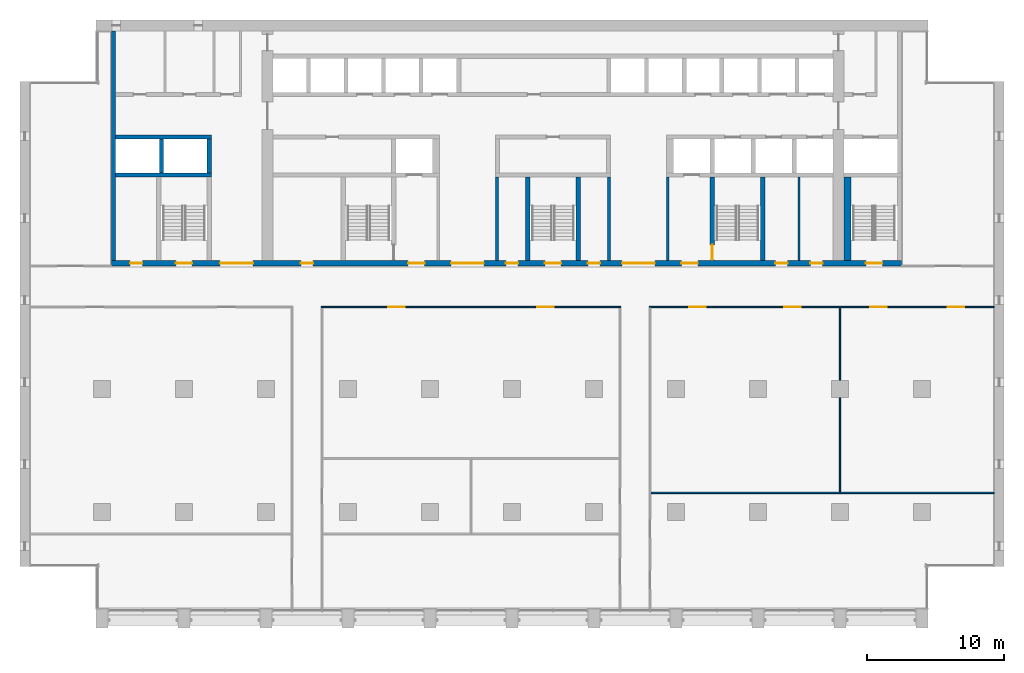
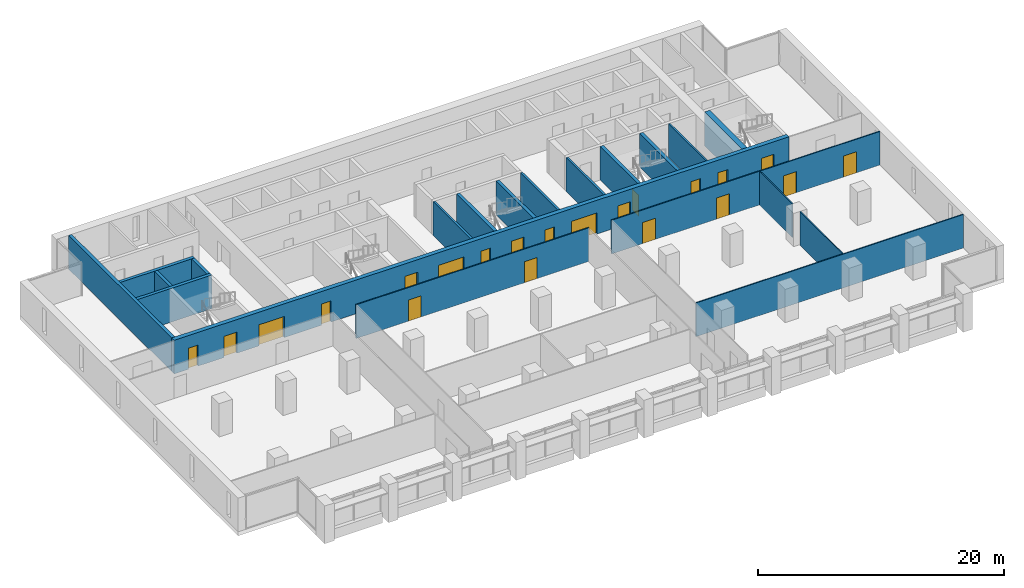
# One storey, part 9 of 15: 21 doors, 20 walls, 21 openings.
"""IFC4 building model written with IfcOpenShell, lengths in metres."""

import ifcopenshell
import ifcopenshell.guid

model = None  # the IFC model being written
_history = None  # IfcOwnerHistory: only IFC2X3 demands one
_inside = {}  # id of a spatial element -> (the spatial element, [elements in it])
_under = {}  # id of a project, library or spatial element -> (it, [spatial elements below it])
_declared = {}  # id of a project -> (the project, [libraries it declares])
_typed = {}  # id of a type object -> (the type object, [elements of that type])
_made_of = {}  # id of a material, layer set ... -> (it, [elements and type objects made of it])


def new_model(schema):
    """Start an empty IFC model of exactly this schema.

    Asked for "IFC4X3", IfcOpenShell would pick the latest addendum, in which some entities
    have other attributes; the version numbers below select the first issue.
    IFC2X3 requires an IfcOwnerHistory on every rooted entity: one is made here for all.
    """
    global model, _history
    if schema == "IFC4X3":
        model = ifcopenshell.file(schema_version=(4, 3, 0, 0))
    else:
        model = ifcopenshell.file(schema=schema)
    _inside.clear()
    _under.clear()
    _declared.clear()
    _typed.clear()
    _made_of.clear()
    _history = None
    if model.schema == "IFC2X3":
        org = make("IfcOrganization", Name="unknown")
        user = make(
            "IfcPersonAndOrganization",
            ThePerson=make("IfcPerson", FamilyName="unknown"),
            TheOrganization=org,
        )
        app = make(
            "IfcApplication",
            ApplicationDeveloper=org,
            Version="unknown",
            ApplicationFullName="unknown",
            ApplicationIdentifier="unknown",
        )
        _history = make(
            "IfcOwnerHistory",
            OwningUser=user,
            OwningApplication=app,
            ChangeAction="ADDED",
            CreationDate=0,
        )
    return model


def make(cls, **values):
    """One entity of the class cls with the attributes given. An attribute that is None is left unset."""
    return model.create_entity(
        cls, **{name: value for name, value in values.items() if value is not None}
    )


def rooted(cls, **values):
    """An entity with a GlobalId (a new one), such as an element, a storey or a relation."""
    return make(cls, GlobalId=ifcopenshell.guid.new(), OwnerHistory=_history, **values)


def si_unit(unit_type, name, prefix=None):
    """IfcSIUnit, for example si_unit("LENGTHUNIT", "METRE", prefix="MILLI")."""
    return make("IfcSIUnit", UnitType=unit_type, Prefix=prefix, Name=name)


def assignment(units):
    """IfcUnitAssignment: the units of a project."""
    return None if units is None else make("IfcUnitAssignment", Units=units)


def point(xyz):
    """IfcCartesianPoint."""
    return None if xyz is None else make("IfcCartesianPoint", Coordinates=xyz)


def direction(xyz):
    """IfcDirection."""
    return None if xyz is None else make("IfcDirection", DirectionRatios=xyz)


def frame(location, z_axis=None, x_axis=None):
    """IfcAxis2Placement3D, a coordinate frame: its origin and axes. An axis left out is left unset."""
    return make(
        "IfcAxis2Placement3D",
        Location=point(location),
        Axis=direction(z_axis),
        RefDirection=direction(x_axis),
    )


def frame_2d(location, x_axis=None):
    """IfcAxis2Placement2D, a coordinate frame in the plane: its origin and x axis."""
    return make(
        "IfcAxis2Placement2D", Location=point(location), RefDirection=direction(x_axis)
    )


def origin():
    """The frame at (0, 0, 0) with its axes left unset."""
    return frame((0.0, 0.0, 0.0))


def place(relative_to, where):
    """IfcLocalPlacement: puts the frame where relative to a parent placement (None: the world)."""
    return make(
        "IfcLocalPlacement", PlacementRelTo=relative_to, RelativePlacement=where
    )


def context(
    kind, dimensions, precision=None, world=None, true_north=None, identifier=None
):
    """IfcGeometricRepresentationContext, for example the 3D "Model" context."""
    return make(
        "IfcGeometricRepresentationContext",
        ContextIdentifier=identifier,
        ContextType=kind,
        CoordinateSpaceDimension=dimensions,
        Precision=precision,
        WorldCoordinateSystem=world,
        TrueNorth=true_north,
    )


def subcontext(parent, identifier, kind, view, scale=None):
    """IfcGeometricRepresentationSubContext, for example "Body" below "Model"."""
    return make(
        "IfcGeometricRepresentationSubContext",
        ContextIdentifier=identifier,
        ContextType=kind,
        ParentContext=parent,
        TargetScale=scale,
        TargetView=view,
    )


def project(units=None, contexts=None):
    """IfcProject with its units and contexts."""
    return rooted(
        "IfcProject",
        Name="project",
        RepresentationContexts=contexts,
        UnitsInContext=assignment(units),
    )


def spatial(cls, under=None, at=None, **own):
    """A site, building, storey or space (cls), placed at a placement, below another one or the project."""
    s = rooted(cls, ObjectPlacement=at, **own)
    if under is not None:
        _under.setdefault(under.id(), (under, []))[1].append(s)
    return s


def profile(cls, at=None, kind="AREA", **sizes):
    """A parametric profile (cls). Its sizes go by their IFC names, for example OverallWidth=200.0."""
    return make(cls, ProfileType=kind, Position=at, **sizes)


def rectangle(**sizes):
    """IfcRectangleProfileDef."""
    return profile("IfcRectangleProfileDef", **sizes)


def extrude(swept, where, along, depth):
    """IfcExtrudedAreaSolid: the profile swept, set in the frame where, extruded along a direction by depth."""
    return make(
        "IfcExtrudedAreaSolid",
        SweptArea=swept,
        Position=where,
        ExtrudedDirection=direction(along),
        Depth=depth,
    )


def shape(context_of_items, identifier, shape_type, items):
    """IfcShapeRepresentation: the items that make up one representation, for example the "Body"."""
    return make(
        "IfcShapeRepresentation",
        ContextOfItems=context_of_items,
        RepresentationIdentifier=identifier,
        RepresentationType=shape_type,
        Items=items,
    )


def material(Name=None, Category=None):
    """IfcMaterial."""
    return make("IfcMaterial", Name=Name, Category=Category)


def layer(
    of_material, thickness, ventilated=None, Name=None, Category=None, Priority=None
):
    """IfcMaterialLayer: one layer of a wall or slab, of a material (None: an air gap)."""
    return make(
        "IfcMaterialLayer",
        Material=of_material,
        LayerThickness=thickness,
        IsVentilated=ventilated,
        Name=Name,
        Category=Category,
        Priority=Priority,
    )


def layer_set(layers, Name=None):
    """IfcMaterialLayerSet."""
    return make("IfcMaterialLayerSet", MaterialLayers=layers, LayerSetName=Name)


def made_of(thing, what):
    """Note that an element or type object is made of a material, layer set ...; save() writes the relation."""
    if what is not None:
        _made_of.setdefault(what.id(), (what, []))[1].append(thing)
    return thing


def type_object(cls, material=None, **own):
    """A type object (cls), such as IfcWallType, which elements share."""
    return made_of(rooted(cls, **own), material)


def element(
    cls,
    number,
    at=None,
    inside=None,
    cuts=None,
    type_object=None,
    material=None,
    context=None,
    identifier="Body",
    shape_type=None,
    held_by="IfcProductDefinitionShape",
    body=None,
    shapes=None,
    **own,
):
    """One element of the class cls, such as IfcWall. Its Tag is "e" and its number.

    at: its placement. inside: the storey or other place that contains it. cuts: it is an
    opening in that element (IfcRelVoidsElement). A single representation is given by context,
    identifier, shape_type and body (its items); several are given by shapes. held_by: the class
    of the entity that holds the representations. save() writes the other relations.
    """
    e = rooted(cls, Tag="e%d" % number, ObjectPlacement=at, **own)
    if body is not None:
        shapes = [shape(context, identifier, shape_type, body)]
    if shapes is not None:
        e.Representation = make(held_by, Representations=shapes)
    if inside is not None:
        _inside.setdefault(inside.id(), (inside, []))[1].append(e)
    if cuts is not None:
        rooted(
            "IfcRelVoidsElement", RelatingBuildingElement=cuts, RelatedOpeningElement=e
        )
    if type_object is not None:
        _typed.setdefault(type_object.id(), (type_object, []))[1].append(e)
    return made_of(e, material)


def fill(opening, filler):
    """IfcRelFillsElement: the door or window that sits in an opening."""
    return rooted(
        "IfcRelFillsElement",
        RelatingOpeningElement=opening,
        RelatedBuildingElement=filler,
    )


def aggregate(whole, parts):
    """IfcRelAggregates: a whole, such as a stair, and the parts it consists of."""
    return rooted("IfcRelAggregates", RelatingObject=whole, RelatedObjects=parts)


def save(model, path):
    """Write the relations noted so far, then the file.

    IfcRelAggregates (storeys below a building ...), IfcRelContainedInSpatialStructure (elements
    in a storey), IfcRelDefinesByType, IfcRelAssociatesMaterial and IfcRelDeclares: one each for
    every whole, place, type object, material and project.
    """
    for whole, parts in _under.values():
        aggregate(whole, parts)
    for where, things in _inside.values():
        rooted(
            "IfcRelContainedInSpatialStructure",
            RelatedElements=things,
            RelatingStructure=where,
        )
    for kind, things in _typed.values():
        rooted("IfcRelDefinesByType", RelatedObjects=things, RelatingType=kind)
    for what, things in _made_of.values():
        rooted("IfcRelAssociatesMaterial", RelatedObjects=things, RelatingMaterial=what)
    for by, libraries in _declared.values():
        rooted("IfcRelDeclares", RelatingContext=by, RelatedDefinitions=libraries)
    model.write(path)


model = new_model("IFC4")

# Units and contexts
model_context = context("Model", 3, precision=1e-05, world=origin(), true_north=direction((0.0, 1.0)))
body_context = subcontext(model_context, "Body", "Model", "MODEL_VIEW")
ifc_project = project(units=[si_unit("LENGTHUNIT", "METRE"), si_unit("AREAUNIT", "SQUARE_METRE"), si_unit("VOLUMEUNIT", "CUBIC_METRE"), si_unit("PLANEANGLEUNIT", "RADIAN"), si_unit("MASSUNIT", "GRAM", prefix="KILO")], contexts=[model_context])

# Site, building, storey
site_placement = place(None, origin())
site = spatial("IfcSite", under=ifc_project, at=site_placement, CompositionType="ELEMENT")
building_placement = place(site_placement, origin())
building = spatial("IfcBuilding", under=site, at=building_placement, Name="Calvaro Tower", CompositionType="ELEMENT")
storey_placement = place(building_placement, frame((0.0, 0.0, 143.75)))
storey = spatial("IfcBuildingStorey", under=building, at=storey_placement, Name="L36", CompositionType="ELEMENT", Elevation=143.75)

# Walls
ifc_material_1 = material(Name="Blockwork partition", Category="masonry")
ifc_layer_1 = layer(ifc_material_1, 0.14990234375)
ifc_layer_set_1 = layer_set([ifc_layer_1], Name="Blockwork partition")
wall_type_1 = type_object("IfcWallType", Name="Core partition 150 EI 60", PredefinedType="PARTITIONING", material=ifc_layer_set_1)
wall_1_placement = place(storey_placement, frame((57.0, 28.39990234375, 0.0), z_axis=(0.0, 0.0, 1.0), x_axis=(0.0, 1.0, 0.0)))
element("IfcWall", 1, at=wall_1_placement, inside=storey, type_object=wall_type_1, Name="Core partition", PredefinedType="PARTITIONING", context=body_context, shape_type="SweptSolid", body=[
    extrude(rectangle(XDim=6.10009765625, YDim=0.14990234375, at=frame_2d((3.050048828125, 0.0))), origin(), (0.0, 0.0, 1.0), 3.35009765625),
])
ifc_material_2 = material(Name="Blockwork partition", Category="masonry")
ifc_layer_2 = layer(ifc_material_2, 0.199951171875)
ifc_layer_set_2 = layer_set([ifc_layer_2], Name="Blockwork partition")
wall_type_2 = type_object("IfcWallType", Name="Core partition 200 REI 120", PredefinedType="PARTITIONING", material=ifc_layer_set_2)
for number, where, z_axis, x_axis, name in (
    (2, (34.89990234375, 28.39990234375, 0.0), (0.0, 0.0, 1.0), (0.0, 1.0, 0.0), "Core partition"),
    (3, (43.10009765625, 28.39990234375, 0.0), (0.0, 0.0, 1.0), (0.0, 1.0, 0.0), "Core partition"),
    (4, (47.39990234375, 28.39990234375, 0.0), (0.0, 0.0, 1.0), (0.0, 1.0, 0.0), "Core partition"),
):
    element("IfcWall", number, at=place(storey_placement, frame(where, z_axis=z_axis, x_axis=x_axis)), inside=storey, type_object=wall_type_2, Name=name, PredefinedType="PARTITIONING", context=body_context, shape_type="SweptSolid", body=[
        extrude(rectangle(XDim=6.10009765625, YDim=0.199951171875, at=frame_2d((3.050048828125, 0.0))), origin(), (0.0, 0.0, 1.0), 3.35009765625),
    ])
ifc_material_3 = material(Name="Concrete C60/75", Category="concrete")
ifc_layer_3 = layer(ifc_material_3, 0.300048828125)
ifc_layer_set_3 = layer_set([ifc_layer_3], Name="Concrete C60/75")
wall_type_3 = type_object("IfcWallType", Name="Core wall C60/75 300", PredefinedType="SHEAR", material=ifc_layer_set_3)
wall_2_placement = place(storey_placement, frame((6.85009765625, 28.39990234375, 0.0), z_axis=(0.0, 0.0, 1.0), x_axis=(0.0, 1.0, 0.0)))
element("IfcWall", 5, at=wall_2_placement, inside=storey, type_object=wall_type_3, Name="Core wall, boundary", PredefinedType="SHEAR", context=body_context, shape_type="SweptSolid", body=[
    extrude(rectangle(XDim=16.800048828125, YDim=0.300048828125, at=frame_2d((8.39990234375, 0.0))), origin(), (0.0, 0.0, 1.0), 3.35009765625),
])
for number, where, z_axis, x_axis, name in (
    (6, (37.14990234375, 28.39990234375, 0.0), (0.0, 0.0, 1.0), (0.0, 1.0, 0.0), "Core wall, stair enclosure"),
    (7, (40.85009765625, 28.39990234375, 0.0), (0.0, 0.0, 1.0), (0.0, 1.0, 0.0), "Core wall, stair enclosure"),
):
    element("IfcWall", number, at=place(storey_placement, frame(where, z_axis=z_axis, x_axis=x_axis)), inside=storey, type_object=wall_type_3, Name=name, PredefinedType="SHEAR", context=body_context, shape_type="SweptSolid", body=[
        extrude(rectangle(XDim=6.10009765625, YDim=0.300048828125, at=frame_2d((3.050048828125, 0.0))), origin(), (0.0, 0.0, 1.0), 3.35009765625),
    ])

# Wall, opening, door
wall_3_placement = place(storey_placement, frame((50.64990234375, 34.5, 0.0), z_axis=(0.0, 0.0, 1.0), x_axis=(0.0, -1.0, 0.0)))
wall_3 = element("IfcWall", 8, at=wall_3_placement, inside=storey, type_object=wall_type_3, Name="Core wall, stair enclosure", PredefinedType="SHEAR", context=body_context, shape_type="SweptSolid", body=[
    extrude(rectangle(XDim=6.10009765625, YDim=0.300048828125, at=frame_2d((3.050048828125, 0.0))), origin(), (0.0, 0.0, 1.0), 3.35009765625),
])
opening_1_placement = place(wall_3_placement, frame((4.949951171875, 0.0, 0.0)))
opening_1 = element("IfcOpeningElement", 9, at=opening_1_placement, cuts=wall_3, Name="Opening FD11D", PredefinedType="OPENING", context=body_context, shape_type="SweptSolid", body=[
    extrude(rectangle(XDim=1.10009765625, YDim=2.10009765625, at=frame_2d((0.550048828125, 1.050048828125))), frame((0.0, 0.159912109375, 0.0), z_axis=(0.0, -1.0, 0.0), x_axis=(1.0, 0.0, 0.0)), (0.0, 0.0, 1.0), 0.320068359375),
])
ifc_material_4 = material(Name="Steel door set", Category="steel")
door_type_1 = type_object("IfcDoorType", Name="Fire door 1100 FD30S", OperationType="SINGLE_SWING_LEFT", PredefinedType="DOOR", material=ifc_material_4)
door_1_placement = place(opening_1_placement, origin())
door_1 = element("IfcDoor", 10, at=door_1_placement, inside=storey, type_object=door_type_1, Name="Fire door", OperationType="SINGLE_SWING_RIGHT", OverallHeight=2.10009765625, OverallWidth=1.10009765625, PredefinedType="DOOR", context=body_context, shape_type="SweptSolid", body=[
    extrude(rectangle(XDim=1.10009765625, YDim=2.10009765625, at=frame_2d((0.550048828125, 1.050048828125))), frame((0.0, 0.02490234375, 0.0), z_axis=(0.0, -1.0, 0.0), x_axis=(1.0, 0.0, 0.0)), (0.0, 0.0, 1.0), 0.050048828125),
])
fill(opening_1, door_1)

# Walls
wall_4_placement = place(storey_placement, frame((54.35009765625, 28.39990234375, 0.0), z_axis=(0.0, 0.0, 1.0), x_axis=(0.0, 1.0, 0.0)))
element("IfcWall", 11, at=wall_4_placement, inside=storey, type_object=wall_type_3, Name="Core wall, stair enclosure", PredefinedType="SHEAR", context=body_context, shape_type="SweptSolid", body=[
    extrude(rectangle(XDim=6.10009765625, YDim=0.300048828125, at=frame_2d((3.050048828125, 0.0))), origin(), (0.0, 0.0, 1.0), 3.35009765625),
])
for number, where, z_axis, x_axis, name in (
    (12, (7.0, 34.64990234375, 0.0), (0.0, 0.0, 1.0), (1.0, 0.0, 0.0), "Core wall, lift shaft"),
    (13, (7.0, 37.449951171875, 0.0), (0.0, 0.0, 1.0), (1.0, 0.0, 0.0), "Core wall, lift shaft"),
):
    element("IfcWall", number, at=place(storey_placement, frame(where, z_axis=z_axis, x_axis=x_axis)), inside=storey, type_object=wall_type_3, Name=name, PredefinedType="SHEAR", context=body_context, shape_type="SweptSolid", body=[
        extrude(rectangle(XDim=7.0, YDim=0.300048828125, at=frame_2d((3.5, 0.0))), origin(), (0.0, 0.0, 1.0), 3.35009765625),
    ])
for number, where, z_axis, x_axis, name in (
    (14, (13.85009765625, 34.800048828125, 0.0), (0.0, 0.0, 1.0), (0.0, 1.0, 0.0), "Core wall, lift shaft"),
    (15, (10.35009765625, 34.800048828125, 0.0), (0.0, 0.0, 1.0), (0.0, 1.0, 0.0), "Core wall, lift shaft"),
):
    element("IfcWall", number, at=place(storey_placement, frame(where, z_axis=z_axis, x_axis=x_axis)), inside=storey, type_object=wall_type_3, Name=name, PredefinedType="SHEAR", context=body_context, shape_type="SweptSolid", body=[
        extrude(rectangle(XDim=2.5, YDim=0.300048828125, at=frame_2d((1.25, 0.0))), origin(), (0.0, 0.0, 1.0), 3.35009765625),
    ])

# Wall, openings, doors
ifc_material_5 = material(Name="Concrete C60/75", Category="concrete")
ifc_layer_4 = layer(ifc_material_5, 0.39990234375)
ifc_layer_set_4 = layer_set([ifc_layer_4], Name="Concrete C60/75")
wall_type_4 = type_object("IfcWallType", Name="Core wall C60/75 400", PredefinedType="SHEAR", material=ifc_layer_set_4)
wall_5_placement = place(storey_placement, frame((6.699951171875, 28.199951171875, 0.0), z_axis=(0.0, 0.0, 1.0), x_axis=(1.0, 0.0, 0.0)))
wall_5 = element("IfcWall", 16, at=wall_5_placement, inside=storey, type_object=wall_type_4, Name="Core wall, front", PredefinedType="SHEAR", context=body_context, shape_type="SweptSolid", body=[
    extrude(rectangle(XDim=57.800048828125, YDim=0.39990234375, at=frame_2d((28.89990234375, 0.0))), origin(), (0.0, 0.0, 1.0), 3.35009765625),
])
opening_2_placement = place(wall_5_placement, frame((13.85009765625, 0.0, 0.0)))
opening_2 = element("IfcOpeningElement", 17, at=opening_2_placement, cuts=wall_5, Name="Opening RD9E", PredefinedType="OPENING", context=body_context, shape_type="SweptSolid", body=[
    extrude(rectangle(XDim=0.89990234375, YDim=2.10009765625, at=frame_2d((0.449951171875, 1.050048828125))), frame((0.0, 0.2099609375, 0.0), z_axis=(0.0, -1.0, 0.0), x_axis=(1.0, 0.0, 0.0)), (0.0, 0.0, 1.0), 0.419921875),
])
opening_3_placement = place(wall_5_placement, frame((48.5625, 0.0, 0.0)))
opening_3 = element("IfcOpeningElement", 18, at=opening_3_placement, cuts=wall_5, Name="Opening RD9C", PredefinedType="OPENING", context=body_context, shape_type="SweptSolid", body=[
    extrude(rectangle(XDim=0.89990234375, YDim=2.10009765625, at=frame_2d((0.449951171875, 1.050048828125))), frame((0.0, 0.2099609375, 0.0), z_axis=(0.0, -1.0, 0.0), x_axis=(1.0, 0.0, 0.0)), (0.0, 0.0, 1.0), 0.419921875),
])
opening_4_placement = place(wall_5_placement, frame((51.137451171875, 0.0, 0.0)))
opening_4 = element("IfcOpeningElement", 19, at=opening_4_placement, cuts=wall_5, Name="Opening RD9C", PredefinedType="OPENING", context=body_context, shape_type="SweptSolid", body=[
    extrude(rectangle(XDim=0.89990234375, YDim=2.10009765625, at=frame_2d((0.449951171875, 1.050048828125))), frame((0.0, 0.2099609375, 0.0), z_axis=(0.0, -1.0, 0.0), x_axis=(1.0, 0.0, 0.0)), (0.0, 0.0, 1.0), 0.419921875),
])
opening_5_placement = place(wall_5_placement, frame((1.35009765625, 0.0, 0.0)))
opening_5 = element("IfcOpeningElement", 20, at=opening_5_placement, cuts=wall_5, Name="Opening RD9C", PredefinedType="OPENING", context=body_context, shape_type="SweptSolid", body=[
    extrude(rectangle(XDim=0.89990234375, YDim=2.10009765625, at=frame_2d((0.449951171875, 1.050048828125))), frame((0.0, 0.2099609375, 0.0), z_axis=(0.0, -1.0, 0.0), x_axis=(1.0, 0.0, 0.0)), (0.0, 0.0, 1.0), 0.419921875),
])
opening_6_placement = place(wall_5_placement, frame((4.699951171875, 0.0, 0.0)))
opening_6 = element("IfcOpeningElement", 21, at=opening_6_placement, cuts=wall_5, Name="Opening SD12D", PredefinedType="OPENING", context=body_context, shape_type="SweptSolid", body=[
    extrude(rectangle(XDim=1.199951171875, YDim=2.10009765625, at=frame_2d((0.60009765625, 1.050048828125))), frame((0.0, 0.2099609375, 0.0), z_axis=(0.0, -1.0, 0.0), x_axis=(1.0, 0.0, 0.0)), (0.0, 0.0, 1.0), 0.419921875),
])
opening_7_placement = place(wall_5_placement, frame((31.699951171875, 0.0, 0.0)))
opening_7 = element("IfcOpeningElement", 22, at=opening_7_placement, cuts=wall_5, Name="Opening SD12D", PredefinedType="OPENING", context=body_context, shape_type="SweptSolid", body=[
    extrude(rectangle(XDim=1.199951171875, YDim=2.10009765625, at=frame_2d((0.60009765625, 1.050048828125))), frame((0.0, 0.2099609375, 0.0), z_axis=(0.0, -1.0, 0.0), x_axis=(1.0, 0.0, 0.0)), (0.0, 0.0, 1.0), 0.419921875),
])
opening_8_placement = place(wall_5_placement, frame((55.199951171875, 0.0, 0.0)))
opening_8 = element("IfcOpeningElement", 23, at=opening_8_placement, cuts=wall_5, Name="Opening SD12D", PredefinedType="OPENING", context=body_context, shape_type="SweptSolid", body=[
    extrude(rectangle(XDim=1.199951171875, YDim=2.10009765625, at=frame_2d((0.60009765625, 1.050048828125))), frame((0.0, 0.2099609375, 0.0), z_axis=(0.0, -1.0, 0.0), x_axis=(1.0, 0.0, 0.0)), (0.0, 0.0, 1.0), 0.419921875),
])
opening_9_placement = place(wall_5_placement, frame((21.699951171875, 0.0, 0.0)))
opening_9 = element("IfcOpeningElement", 24, at=opening_9_placement, cuts=wall_5, Name="Opening FD12F", PredefinedType="OPENING", context=body_context, shape_type="SweptSolid", body=[
    extrude(rectangle(XDim=1.199951171875, YDim=2.10009765625, at=frame_2d((0.60009765625, 1.050048828125))), frame((0.0, 0.2099609375, 0.0), z_axis=(0.0, -1.0, 0.0), x_axis=(1.0, 0.0, 0.0)), (0.0, 0.0, 1.0), 0.419921875),
])
opening_10_placement = place(wall_5_placement, frame((41.699951171875, 0.0, 0.0)))
opening_10 = element("IfcOpeningElement", 25, at=opening_10_placement, cuts=wall_5, Name="Opening FD12F", PredefinedType="OPENING", context=body_context, shape_type="SweptSolid", body=[
    extrude(rectangle(XDim=1.199951171875, YDim=2.10009765625, at=frame_2d((0.60009765625, 1.050048828125))), frame((0.0, 0.2099609375, 0.0), z_axis=(0.0, -1.0, 0.0), x_axis=(1.0, 0.0, 0.0)), (0.0, 0.0, 1.0), 0.419921875),
])
opening_11_placement = place(wall_5_placement, frame((24.85009765625, 0.0, 0.0)))
opening_11 = element("IfcOpeningElement", 26, at=opening_11_placement, cuts=wall_5, Name="Opening DD24D", PredefinedType="OPENING", context=body_context, shape_type="SweptSolid", body=[
    extrude(rectangle(XDim=2.39990234375, YDim=2.10009765625, at=frame_2d((1.199951171875, 1.050048828125))), frame((0.0, 0.2099609375, 0.0), z_axis=(0.0, -1.0, 0.0), x_axis=(1.0, 0.0, 0.0)), (0.0, 0.0, 1.0), 0.419921875),
])
opening_12_placement = place(wall_5_placement, frame((37.35009765625, 0.0, 0.0)))
opening_12 = element("IfcOpeningElement", 27, at=opening_12_placement, cuts=wall_5, Name="Opening DD24D", PredefinedType="OPENING", context=body_context, shape_type="SweptSolid", body=[
    extrude(rectangle(XDim=2.39990234375, YDim=2.10009765625, at=frame_2d((1.199951171875, 1.050048828125))), frame((0.0, 0.2099609375, 0.0), z_axis=(0.0, -1.0, 0.0), x_axis=(1.0, 0.0, 0.0)), (0.0, 0.0, 1.0), 0.419921875),
])
opening_13_placement = place(wall_5_placement, frame((7.949951171875, 0.0, 0.0)))
opening_13 = element("IfcOpeningElement", 28, at=opening_13_placement, cuts=wall_5, Name="Opening DD24D", PredefinedType="OPENING", context=body_context, shape_type="SweptSolid", body=[
    extrude(rectangle(XDim=2.39990234375, YDim=2.10009765625, at=frame_2d((1.199951171875, 1.050048828125))), frame((0.0, 0.2099609375, 0.0), z_axis=(0.0, -1.0, 0.0), x_axis=(1.0, 0.0, 0.0)), (0.0, 0.0, 1.0), 0.419921875),
])
opening_14_placement = place(wall_5_placement, frame((28.85009765625, 0.0, 0.0)))
opening_14 = element("IfcOpeningElement", 29, at=opening_14_placement, cuts=wall_5, Name="Opening RD9E", PredefinedType="OPENING", context=body_context, shape_type="SweptSolid", body=[
    extrude(rectangle(XDim=0.89990234375, YDim=2.10009765625, at=frame_2d((0.449951171875, 1.050048828125))), frame((0.0, 0.2099609375, 0.0), z_axis=(0.0, -1.0, 0.0), x_axis=(1.0, 0.0, 0.0)), (0.0, 0.0, 1.0), 0.419921875),
])
opening_15_placement = place(wall_5_placement, frame((34.85009765625, 0.0, 0.0)))
opening_15 = element("IfcOpeningElement", 30, at=opening_15_placement, cuts=wall_5, Name="Opening RD9E", PredefinedType="OPENING", context=body_context, shape_type="SweptSolid", body=[
    extrude(rectangle(XDim=0.89990234375, YDim=2.10009765625, at=frame_2d((0.449951171875, 1.050048828125))), frame((0.0, 0.2099609375, 0.0), z_axis=(0.0, -1.0, 0.0), x_axis=(1.0, 0.0, 0.0)), (0.0, 0.0, 1.0), 0.419921875),
])
ifc_material_6 = material(Name="Steel door set", Category="steel")
door_type_2 = type_object("IfcDoorType", Name="Fire door 1200 FD60S", OperationType="SINGLE_SWING_LEFT", PredefinedType="DOOR", material=ifc_material_6)
door_2_placement = place(opening_9_placement, origin())
door_2 = element("IfcDoor", 31, at=door_2_placement, inside=storey, type_object=door_type_2, Name="Fire door", OperationType="SINGLE_SWING_LEFT", OverallHeight=2.10009765625, OverallWidth=1.199951171875, PredefinedType="DOOR", context=body_context, shape_type="SweptSolid", body=[
    extrude(rectangle(XDim=1.199951171875, YDim=2.10009765625, at=frame_2d((0.60009765625, 1.050048828125))), frame((0.0, 0.02490234375, 0.0), z_axis=(0.0, -1.0, 0.0), x_axis=(1.0, 0.0, 0.0)), (0.0, 0.0, 1.0), 0.050048828125),
])
fill(opening_9, door_2)
door_3_placement = place(opening_10_placement, origin())
door_3 = element("IfcDoor", 32, at=door_3_placement, inside=storey, type_object=door_type_2, Name="Fire door", OperationType="SINGLE_SWING_LEFT", OverallHeight=2.10009765625, OverallWidth=1.199951171875, PredefinedType="DOOR", context=body_context, shape_type="SweptSolid", body=[
    extrude(rectangle(XDim=1.199951171875, YDim=2.10009765625, at=frame_2d((0.60009765625, 1.050048828125))), frame((0.0, 0.02490234375, 0.0), z_axis=(0.0, -1.0, 0.0), x_axis=(1.0, 0.0, 0.0)), (0.0, 0.0, 1.0), 0.050048828125),
])
fill(opening_10, door_3)
ifc_material_7 = material(Name="Steel door set", Category="steel")
door_type_3 = type_object("IfcDoorType", Name="Lobby double door 2400 FD30S", OperationType="DOUBLE_DOOR_SINGLE_SWING", PredefinedType="DOOR", material=ifc_material_7)
door_4_placement = place(opening_11_placement, origin())
door_4 = element("IfcDoor", 33, at=door_4_placement, inside=storey, type_object=door_type_3, Name="Lobby double door", OperationType="DOUBLE_DOOR_SINGLE_SWING", OverallHeight=2.10009765625, OverallWidth=2.39990234375, PredefinedType="DOOR", context=body_context, shape_type="SweptSolid", body=[
    extrude(rectangle(XDim=2.39990234375, YDim=2.10009765625, at=frame_2d((1.199951171875, 1.050048828125))), frame((0.0, 0.02490234375, 0.0), z_axis=(0.0, -1.0, 0.0), x_axis=(1.0, 0.0, 0.0)), (0.0, 0.0, 1.0), 0.050048828125),
])
fill(opening_11, door_4)
door_5_placement = place(opening_12_placement, origin())
door_5 = element("IfcDoor", 34, at=door_5_placement, inside=storey, type_object=door_type_3, Name="Lobby double door", OperationType="DOUBLE_DOOR_SINGLE_SWING", OverallHeight=2.10009765625, OverallWidth=2.39990234375, PredefinedType="DOOR", context=body_context, shape_type="SweptSolid", body=[
    extrude(rectangle(XDim=2.39990234375, YDim=2.10009765625, at=frame_2d((1.199951171875, 1.050048828125))), frame((0.0, 0.02490234375, 0.0), z_axis=(0.0, -1.0, 0.0), x_axis=(1.0, 0.0, 0.0)), (0.0, 0.0, 1.0), 0.050048828125),
])
fill(opening_12, door_5)
door_6_placement = place(opening_13_placement, origin())
door_6 = element("IfcDoor", 35, at=door_6_placement, inside=storey, type_object=door_type_3, Name="Lobby double door", OperationType="DOUBLE_DOOR_SINGLE_SWING", OverallHeight=2.10009765625, OverallWidth=2.39990234375, PredefinedType="DOOR", context=body_context, shape_type="SweptSolid", body=[
    extrude(rectangle(XDim=2.39990234375, YDim=2.10009765625, at=frame_2d((1.199951171875, 1.050048828125))), frame((0.0, 0.02490234375, 0.0), z_axis=(0.0, -1.0, 0.0), x_axis=(1.0, 0.0, 0.0)), (0.0, 0.0, 1.0), 0.050048828125),
])
fill(opening_13, door_6)
ifc_material_8 = material(Name="Steel door set", Category="steel")
door_type_4 = type_object("IfcDoorType", Name="Room door 900 FD30", OperationType="SINGLE_SWING_LEFT", PredefinedType="DOOR", material=ifc_material_8)
door_7_placement = place(opening_3_placement, origin())
door_7 = element("IfcDoor", 36, at=door_7_placement, inside=storey, type_object=door_type_4, Name="Room door", OperationType="SINGLE_SWING_LEFT", OverallHeight=2.10009765625, OverallWidth=0.89990234375, PredefinedType="DOOR", context=body_context, shape_type="SweptSolid", body=[
    extrude(rectangle(XDim=0.89990234375, YDim=2.10009765625, at=frame_2d((0.449951171875, 1.050048828125))), frame((0.0, 0.02490234375, 0.0), z_axis=(0.0, -1.0, 0.0), x_axis=(1.0, 0.0, 0.0)), (0.0, 0.0, 1.0), 0.050048828125),
])
fill(opening_3, door_7)
door_8_placement = place(opening_4_placement, origin())
door_8 = element("IfcDoor", 37, at=door_8_placement, inside=storey, type_object=door_type_4, Name="Room door", OperationType="SINGLE_SWING_LEFT", OverallHeight=2.10009765625, OverallWidth=0.89990234375, PredefinedType="DOOR", context=body_context, shape_type="SweptSolid", body=[
    extrude(rectangle(XDim=0.89990234375, YDim=2.10009765625, at=frame_2d((0.449951171875, 1.050048828125))), frame((0.0, 0.02490234375, 0.0), z_axis=(0.0, -1.0, 0.0), x_axis=(1.0, 0.0, 0.0)), (0.0, 0.0, 1.0), 0.050048828125),
])
fill(opening_4, door_8)
door_9_placement = place(opening_5_placement, origin())
door_9 = element("IfcDoor", 38, at=door_9_placement, inside=storey, type_object=door_type_4, Name="Room door", OperationType="SINGLE_SWING_LEFT", OverallHeight=2.10009765625, OverallWidth=0.89990234375, PredefinedType="DOOR", context=body_context, shape_type="SweptSolid", body=[
    extrude(rectangle(XDim=0.89990234375, YDim=2.10009765625, at=frame_2d((0.449951171875, 1.050048828125))), frame((0.0, 0.02490234375, 0.0), z_axis=(0.0, -1.0, 0.0), x_axis=(1.0, 0.0, 0.0)), (0.0, 0.0, 1.0), 0.050048828125),
])
fill(opening_5, door_9)
ifc_material_9 = material(Name="Steel door set", Category="steel")
door_type_5 = type_object("IfcDoorType", Name="Room door 900 FD60", OperationType="SINGLE_SWING_LEFT", PredefinedType="DOOR", material=ifc_material_9)
door_10_placement = place(opening_2_placement, origin())
door_10 = element("IfcDoor", 39, at=door_10_placement, inside=storey, type_object=door_type_5, Name="Room door", OperationType="SINGLE_SWING_LEFT", OverallHeight=2.10009765625, OverallWidth=0.89990234375, PredefinedType="DOOR", context=body_context, shape_type="SweptSolid", body=[
    extrude(rectangle(XDim=0.89990234375, YDim=2.10009765625, at=frame_2d((0.449951171875, 1.050048828125))), frame((0.0, 0.02490234375, 0.0), z_axis=(0.0, -1.0, 0.0), x_axis=(1.0, 0.0, 0.0)), (0.0, 0.0, 1.0), 0.050048828125),
])
fill(opening_2, door_10)
door_11_placement = place(opening_14_placement, origin())
door_11 = element("IfcDoor", 40, at=door_11_placement, inside=storey, type_object=door_type_5, Name="Room door", OperationType="SINGLE_SWING_LEFT", OverallHeight=2.10009765625, OverallWidth=0.89990234375, PredefinedType="DOOR", context=body_context, shape_type="SweptSolid", body=[
    extrude(rectangle(XDim=0.89990234375, YDim=2.10009765625, at=frame_2d((0.449951171875, 1.050048828125))), frame((0.0, 0.02490234375, 0.0), z_axis=(0.0, -1.0, 0.0), x_axis=(1.0, 0.0, 0.0)), (0.0, 0.0, 1.0), 0.050048828125),
])
fill(opening_14, door_11)
door_12_placement = place(opening_15_placement, origin())
door_12 = element("IfcDoor", 41, at=door_12_placement, inside=storey, type_object=door_type_5, Name="Room door", OperationType="SINGLE_SWING_LEFT", OverallHeight=2.10009765625, OverallWidth=0.89990234375, PredefinedType="DOOR", context=body_context, shape_type="SweptSolid", body=[
    extrude(rectangle(XDim=0.89990234375, YDim=2.10009765625, at=frame_2d((0.449951171875, 1.050048828125))), frame((0.0, 0.02490234375, 0.0), z_axis=(0.0, -1.0, 0.0), x_axis=(1.0, 0.0, 0.0)), (0.0, 0.0, 1.0), 0.050048828125),
])
fill(opening_15, door_12)
ifc_material_10 = material(Name="Steel door set", Category="steel")
door_type_6 = type_object("IfcDoorType", Name="Stair door 1200 FD30S", OperationType="SINGLE_SWING_LEFT", PredefinedType="DOOR", material=ifc_material_10)
door_13_placement = place(opening_6_placement, origin())
door_13 = element("IfcDoor", 42, at=door_13_placement, inside=storey, type_object=door_type_6, Name="Stair door", OperationType="SINGLE_SWING_LEFT", OverallHeight=2.10009765625, OverallWidth=1.199951171875, PredefinedType="DOOR", context=body_context, shape_type="SweptSolid", body=[
    extrude(rectangle(XDim=1.199951171875, YDim=2.10009765625, at=frame_2d((0.60009765625, 1.050048828125))), frame((0.0, 0.02490234375, 0.0), z_axis=(0.0, -1.0, 0.0), x_axis=(1.0, 0.0, 0.0)), (0.0, 0.0, 1.0), 0.050048828125),
])
fill(opening_6, door_13)
door_14_placement = place(opening_7_placement, origin())
door_14 = element("IfcDoor", 43, at=door_14_placement, inside=storey, type_object=door_type_6, Name="Stair door", OperationType="SINGLE_SWING_LEFT", OverallHeight=2.10009765625, OverallWidth=1.199951171875, PredefinedType="DOOR", context=body_context, shape_type="SweptSolid", body=[
    extrude(rectangle(XDim=1.199951171875, YDim=2.10009765625, at=frame_2d((0.60009765625, 1.050048828125))), frame((0.0, 0.02490234375, 0.0), z_axis=(0.0, -1.0, 0.0), x_axis=(1.0, 0.0, 0.0)), (0.0, 0.0, 1.0), 0.050048828125),
])
fill(opening_7, door_14)
door_15_placement = place(opening_8_placement, origin())
door_15 = element("IfcDoor", 44, at=door_15_placement, inside=storey, type_object=door_type_6, Name="Stair door", OperationType="SINGLE_SWING_LEFT", OverallHeight=2.10009765625, OverallWidth=1.199951171875, PredefinedType="DOOR", context=body_context, shape_type="SweptSolid", body=[
    extrude(rectangle(XDim=1.199951171875, YDim=2.10009765625, at=frame_2d((0.60009765625, 1.050048828125))), frame((0.0, 0.02490234375, 0.0), z_axis=(0.0, -1.0, 0.0), x_axis=(1.0, 0.0, 0.0)), (0.0, 0.0, 1.0), 0.050048828125),
])
fill(opening_8, door_15)

# Walls
ifc_material_11 = material(Name="Concrete C60/75", Category="concrete")
ifc_layer_5 = layer(ifc_material_11, 0.5)
ifc_layer_set_5 = layer_set([ifc_layer_5], Name="Concrete C60/75")
wall_type_5 = type_object("IfcWallType", Name="Core wall C60/75 500", PredefinedType="SHEAR", material=ifc_layer_set_5)
wall_6_placement = place(storey_placement, frame((60.550048828125, 28.39990234375, 0.0), z_axis=(0.0, 0.0, 1.0), x_axis=(0.0, 1.0, 0.0)))
element("IfcWall", 45, at=wall_6_placement, inside=storey, type_object=wall_type_5, Name="Core wall, stair enclosure", PredefinedType="SHEAR", context=body_context, shape_type="SweptSolid", body=[
    extrude(rectangle(XDim=6.10009765625, YDim=0.5, at=frame_2d((3.050048828125, 0.0))), origin(), (0.0, 0.0, 1.0), 3.35009765625),
])
ifc_material_12 = material(Name="Plasterboard on steel studs", Category="steel")
ifc_layer_6 = layer(ifc_material_12, 0.10009765625)
ifc_layer_set_6 = layer_set([ifc_layer_6], Name="Plasterboard on steel studs")
wall_type_6 = type_object("IfcWallType", Name="Partition 100", PredefinedType="PARTITIONING", material=ifc_layer_set_6)
wall_7_placement = place(storey_placement, frame((46.14990234375, 11.39990234375, 0.0), z_axis=(0.0, 0.0, 1.0), x_axis=(1.0, 0.0, 0.0)))
element("IfcWall", 46, at=wall_7_placement, inside=storey, type_object=wall_type_6, Name="Partition T22.W003", PredefinedType="PARTITIONING", context=body_context, shape_type="SweptSolid", body=[
    extrude(rectangle(XDim=25.150146484375, YDim=0.10009765625, at=frame_2d((12.5751953125, 0.0))), origin(), (0.0, 0.0, 1.0), 3.35009765625),
])

# Wall, openings, doors
wall_8_placement = place(storey_placement, frame((22.050048828125, 25.0, 0.0), z_axis=(0.0, 0.0, 1.0), x_axis=(1.0, 0.0, 0.0)))
wall_8 = element("IfcWall", 47, at=wall_8_placement, inside=storey, type_object=wall_type_6, Name="Partition T22.W006", PredefinedType="PARTITIONING", context=body_context, shape_type="SweptSolid", body=[
    extrude(rectangle(XDim=21.89990234375, YDim=0.10009765625, at=frame_2d((10.949951171875, 0.0))), origin(), (0.0, 0.0, 1.0), 3.35009765625),
])
opening_16_placement = place(wall_8_placement, frame((4.89990234375, 0.0, 0.0)))
opening_16 = element("IfcOpeningElement", 48, at=opening_16_placement, cuts=wall_8, Name="Opening T22.013", PredefinedType="OPENING", context=body_context, shape_type="SweptSolid", body=[
    extrude(rectangle(XDim=1.199951171875, YDim=2.10009765625, at=frame_2d((0.60009765625, 1.050048828125))), frame((0.0, 0.06005859375, 0.0), z_axis=(0.0, -1.0, 0.0), x_axis=(1.0, 0.0, 0.0)), (0.0, 0.0, 1.0), 0.1201171875),
])
opening_17_placement = place(wall_8_placement, frame((15.800048828125, 0.0, 0.0)))
opening_17 = element("IfcOpeningElement", 49, at=opening_17_placement, cuts=wall_8, Name="Opening T22.014", PredefinedType="OPENING", context=body_context, shape_type="SweptSolid", body=[
    extrude(rectangle(XDim=1.199951171875, YDim=2.10009765625, at=frame_2d((0.60009765625, 1.050048828125))), frame((0.0, 0.06005859375, 0.0), z_axis=(0.0, -1.0, 0.0), x_axis=(1.0, 0.0, 0.0)), (0.0, 0.0, 1.0), 0.1201171875),
])
ifc_material_13 = material(Name="Timber", Category="wood")
door_type_7 = type_object("IfcDoorType", Name="Internal single door 1200 x 2100", OperationType="SINGLE_SWING_LEFT", PredefinedType="DOOR", material=ifc_material_13)
door_16_placement = place(opening_16_placement, origin())
door_16 = element("IfcDoor", 50, at=door_16_placement, inside=storey, type_object=door_type_7, Name="Door T22.013", OperationType="SINGLE_SWING_LEFT", OverallHeight=2.10009765625, OverallWidth=1.199951171875, PredefinedType="DOOR", context=body_context, shape_type="SweptSolid", body=[
    extrude(rectangle(XDim=1.199951171875, YDim=2.10009765625, at=frame_2d((0.60009765625, 1.050048828125))), frame((0.0, 0.02490234375, 0.0), z_axis=(0.0, -1.0, 0.0), x_axis=(1.0, 0.0, 0.0)), (0.0, 0.0, 1.0), 0.050048828125),
])
fill(opening_16, door_16)
door_17_placement = place(opening_17_placement, origin())
door_17 = element("IfcDoor", 51, at=door_17_placement, inside=storey, type_object=door_type_7, Name="Door T22.014", OperationType="SINGLE_SWING_RIGHT", OverallHeight=2.10009765625, OverallWidth=1.199951171875, PredefinedType="DOOR", context=body_context, shape_type="SweptSolid", body=[
    extrude(rectangle(XDim=1.199951171875, YDim=2.10009765625, at=frame_2d((0.60009765625, 1.050048828125))), frame((0.0, 0.02490234375, 0.0), z_axis=(0.0, -1.0, 0.0), x_axis=(1.0, 0.0, 0.0)), (0.0, 0.0, 1.0), 0.050048828125),
])
fill(opening_17, door_17)

wall_9_placement = place(storey_placement, frame((46.050048828125, 25.0, 0.0), z_axis=(0.0, 0.0, 1.0), x_axis=(1.0, 0.0, 0.0)))
wall_9 = element("IfcWall", 52, at=wall_9_placement, inside=storey, type_object=wall_type_6, Name="Partition T22.W007", PredefinedType="PARTITIONING", context=body_context, shape_type="SweptSolid", body=[
    extrude(rectangle(XDim=25.25, YDim=0.10009765625, at=frame_2d((12.625, 0.0))), origin(), (0.0, 0.0, 1.0), 3.35009765625),
])
opening_18_placement = place(wall_9_placement, frame((2.925048828125, 0.0, 0.0)))
opening_18 = element("IfcOpeningElement", 53, at=opening_18_placement, cuts=wall_9, Name="Opening T22.009", PredefinedType="OPENING", context=body_context, shape_type="SweptSolid", body=[
    extrude(rectangle(XDim=1.199951171875, YDim=2.10009765625, at=frame_2d((0.60009765625, 1.050048828125))), frame((0.0, 0.06005859375, 0.0), z_axis=(0.0, -1.0, 0.0), x_axis=(1.0, 0.0, 0.0)), (0.0, 0.0, 1.0), 0.1201171875),
])
opening_19_placement = place(wall_9_placement, frame((9.875, 0.0, 0.0)))
opening_19 = element("IfcOpeningElement", 54, at=opening_19_placement, cuts=wall_9, Name="Opening T22.010", PredefinedType="OPENING", context=body_context, shape_type="SweptSolid", body=[
    extrude(rectangle(XDim=1.199951171875, YDim=2.10009765625, at=frame_2d((0.60009765625, 1.050048828125))), frame((0.0, 0.06005859375, 0.0), z_axis=(0.0, -1.0, 0.0), x_axis=(1.0, 0.0, 0.0)), (0.0, 0.0, 1.0), 0.1201171875),
])
opening_20_placement = place(wall_9_placement, frame((16.175048828125, 0.0, 0.0)))
opening_20 = element("IfcOpeningElement", 55, at=opening_20_placement, cuts=wall_9, Name="Opening T22.011", PredefinedType="OPENING", context=body_context, shape_type="SweptSolid", body=[
    extrude(rectangle(XDim=1.199951171875, YDim=2.10009765625, at=frame_2d((0.60009765625, 1.050048828125))), frame((0.0, 0.06005859375, 0.0), z_axis=(0.0, -1.0, 0.0), x_axis=(1.0, 0.0, 0.0)), (0.0, 0.0, 1.0), 0.1201171875),
])
opening_21_placement = place(wall_9_placement, frame((21.824951171875, 0.0, 0.0)))
opening_21 = element("IfcOpeningElement", 56, at=opening_21_placement, cuts=wall_9, Name="Opening T22.012", PredefinedType="OPENING", context=body_context, shape_type="SweptSolid", body=[
    extrude(rectangle(XDim=1.199951171875, YDim=2.10009765625, at=frame_2d((0.60009765625, 1.050048828125))), frame((0.0, 0.06005859375, 0.0), z_axis=(0.0, -1.0, 0.0), x_axis=(1.0, 0.0, 0.0)), (0.0, 0.0, 1.0), 0.1201171875),
])
door_18_placement = place(opening_18_placement, origin())
door_18 = element("IfcDoor", 57, at=door_18_placement, inside=storey, type_object=door_type_7, Name="Door T22.009", OperationType="SINGLE_SWING_LEFT", OverallHeight=2.10009765625, OverallWidth=1.199951171875, PredefinedType="DOOR", context=body_context, shape_type="SweptSolid", body=[
    extrude(rectangle(XDim=1.199951171875, YDim=2.10009765625, at=frame_2d((0.60009765625, 1.050048828125))), frame((0.0, 0.02490234375, 0.0), z_axis=(0.0, -1.0, 0.0), x_axis=(1.0, 0.0, 0.0)), (0.0, 0.0, 1.0), 0.050048828125),
])
fill(opening_18, door_18)
door_19_placement = place(opening_19_placement, origin())
door_19 = element("IfcDoor", 58, at=door_19_placement, inside=storey, type_object=door_type_7, Name="Door T22.010", OperationType="SINGLE_SWING_LEFT", OverallHeight=2.10009765625, OverallWidth=1.199951171875, PredefinedType="DOOR", context=body_context, shape_type="SweptSolid", body=[
    extrude(rectangle(XDim=1.199951171875, YDim=2.10009765625, at=frame_2d((0.60009765625, 1.050048828125))), frame((0.0, 0.02490234375, 0.0), z_axis=(0.0, -1.0, 0.0), x_axis=(1.0, 0.0, 0.0)), (0.0, 0.0, 1.0), 0.050048828125),
])
fill(opening_19, door_19)
door_20_placement = place(opening_20_placement, origin())
door_20 = element("IfcDoor", 59, at=door_20_placement, inside=storey, type_object=door_type_7, Name="Door T22.011", OperationType="SINGLE_SWING_RIGHT", OverallHeight=2.10009765625, OverallWidth=1.199951171875, PredefinedType="DOOR", context=body_context, shape_type="SweptSolid", body=[
    extrude(rectangle(XDim=1.199951171875, YDim=2.10009765625, at=frame_2d((0.60009765625, 1.050048828125))), frame((0.0, 0.02490234375, 0.0), z_axis=(0.0, -1.0, 0.0), x_axis=(1.0, 0.0, 0.0)), (0.0, 0.0, 1.0), 0.050048828125),
])
fill(opening_20, door_20)
door_21_placement = place(opening_21_placement, origin())
door_21 = element("IfcDoor", 60, at=door_21_placement, inside=storey, type_object=door_type_7, Name="Door T22.012", OperationType="SINGLE_SWING_RIGHT", OverallHeight=2.10009765625, OverallWidth=1.199951171875, PredefinedType="DOOR", context=body_context, shape_type="SweptSolid", body=[
    extrude(rectangle(XDim=1.199951171875, YDim=2.10009765625, at=frame_2d((0.60009765625, 1.050048828125))), frame((0.0, 0.02490234375, 0.0), z_axis=(0.0, -1.0, 0.0), x_axis=(1.0, 0.0, 0.0)), (0.0, 0.0, 1.0), 0.050048828125),
])
fill(opening_21, door_21)

# Walls
wall_10_placement = place(storey_placement, frame((60.0, 11.449951171875, 0.0), z_axis=(0.0, 0.0, 1.0), x_axis=(0.0, 1.0, 0.0)))
element("IfcWall", 61, at=wall_10_placement, inside=storey, type_object=wall_type_6, Name="Partition T22.W015", PredefinedType="PARTITIONING", context=body_context, shape_type="SweptSolid", body=[
    extrude(rectangle(XDim=6.925048828125, YDim=0.10009765625, at=frame_2d((3.46240234375, 0.0))), origin(), (0.0, 0.0, 1.0), 3.35009765625),
])
wall_11_placement = place(storey_placement, frame((60.0, 19.625, 0.0), z_axis=(0.0, 0.0, 1.0), x_axis=(0.0, 1.0, 0.0)))
element("IfcWall", 62, at=wall_11_placement, inside=storey, type_object=wall_type_6, Name="Partition T22.W016", PredefinedType="PARTITIONING", context=body_context, shape_type="SweptSolid", body=[
    extrude(rectangle(XDim=5.324951171875, YDim=0.10009765625, at=frame_2d((2.66259765625, 0.0))), origin(), (0.0, 0.0, 1.0), 3.35009765625),
])

save(model, "model.ifc")
